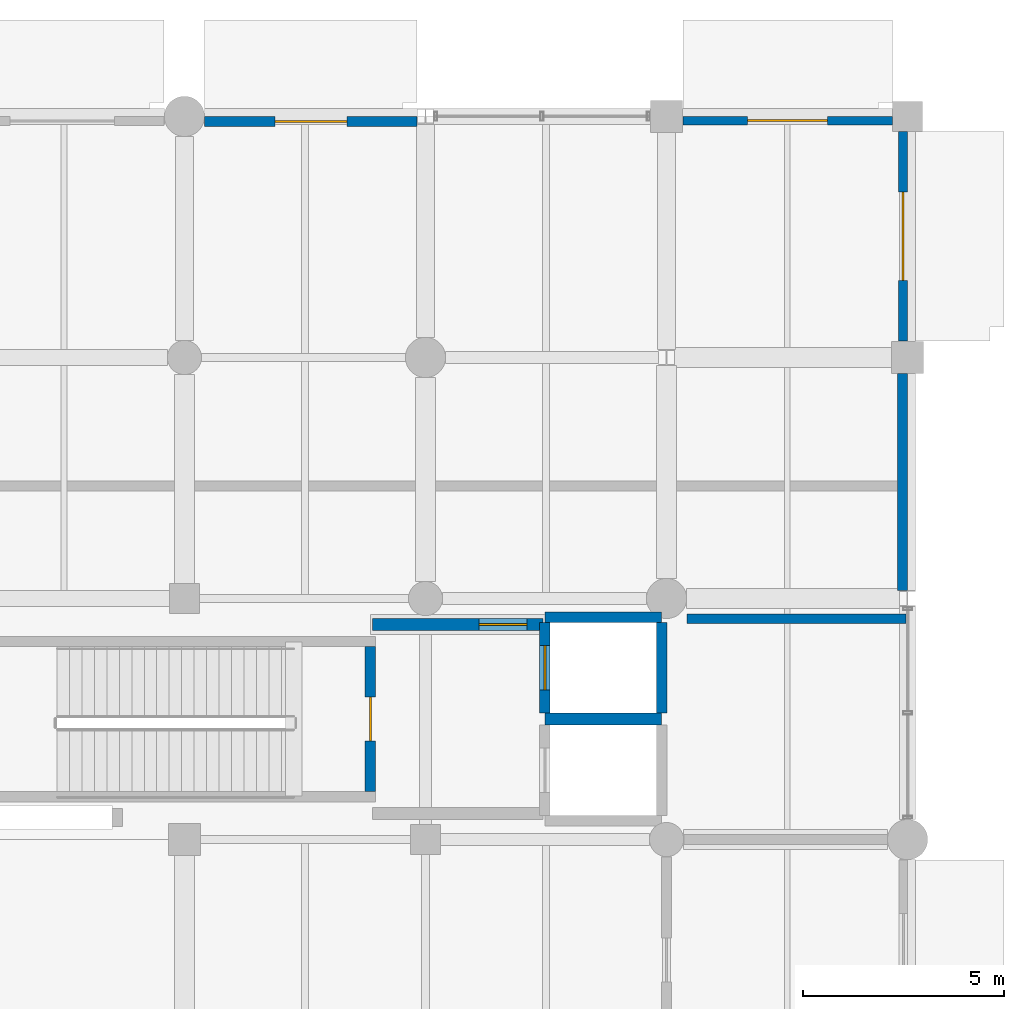
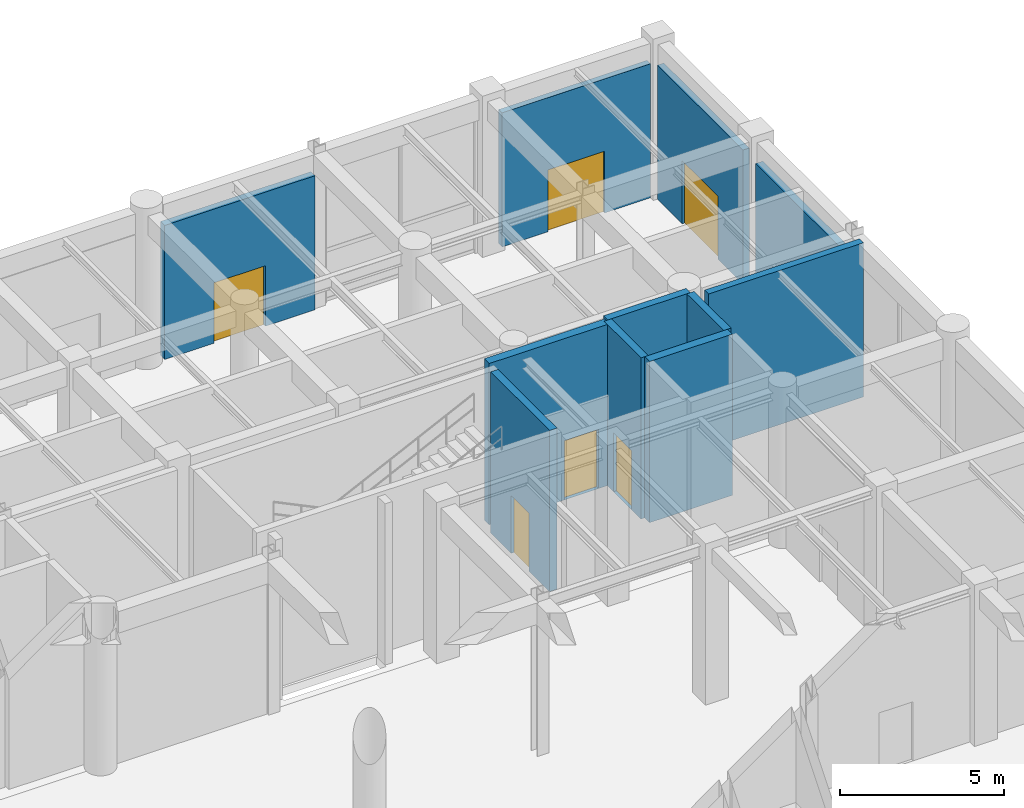
# One storey, part 91 of 106: 11 walls, 6 doors, 6 openings.
"""IFC4 building model written with IfcOpenShell, lengths in metres."""

from ifc_helpers import new_model, si_unit, direction, frame, frame_2d, origin, place, context, subcontext, project, spatial, rectangle, extrude, material, layer, layer_set, type_object, element, fill, save


model = new_model("IFC4")

# Units and contexts
model_context = context("Model", 3, precision=1e-05, world=origin(), true_north=direction((0.0, 1.0)))
body_context = subcontext(model_context, "Body", "Model", "MODEL_VIEW")
ifc_project = project(units=[si_unit("LENGTHUNIT", "METRE"), si_unit("AREAUNIT", "SQUARE_METRE"), si_unit("VOLUMEUNIT", "CUBIC_METRE"), si_unit("PLANEANGLEUNIT", "RADIAN"), si_unit("MASSUNIT", "GRAM", prefix="KILO"), si_unit("THERMODYNAMICTEMPERATUREUNIT", "KELVIN"), si_unit("POWERUNIT", "WATT")], contexts=[model_context])

# Site, building, storey
site_placement = place(None, origin())
site = spatial("IfcSite", under=ifc_project, at=site_placement, CompositionType="ELEMENT")
building_placement = place(site_placement, origin())
building = spatial("IfcBuilding", under=site, at=building_placement, Name="Phaisarnlok Congress Hotel", CompositionType="ELEMENT")
storey_placement = place(building_placement, origin())
storey = spatial("IfcBuildingStorey", under=building, at=storey_placement, Name="L00", CompositionType="ELEMENT", Elevation=0.0)

# Wall, opening, door
ifc_material_1 = material(Name="Concrete C40/50", Category="concrete")
ifc_layer_1 = layer(ifc_material_1, 0.2099609375, Name="Concrete C40/50")
ifc_layer_set_1 = layer_set([ifc_layer_1], Name="Concrete C40/50")
wall_type_1 = type_object("IfcWallType", Name="WL-EXT-210", PredefinedType="SOLIDWALL", material=ifc_layer_set_1)
wall_1_placement = place(storey_placement, frame((179.6201171875, 125.89501953125, 0.0), z_axis=(0.0, 0.0, 1.0), x_axis=(-1.0, 0.0, 0.0)))
wall_1 = element("IfcWall", 1, at=wall_1_placement, inside=storey, type_object=wall_type_1, Name="Exterior wall EW-07 (L00)", PredefinedType="SOLIDWALL", context=body_context, shape_type="SweptSolid", body=[
    extrude(rectangle(XDim=5.215087890625, YDim=0.2099609375, at=frame_2d((2.607421875, 0.0))), origin(), (0.0, 0.0, 1.0), 4.989990234375),
])
opening_1_placement = place(wall_1_placement, frame((1.60791015625, 0.0, 0.0)))
opening_1 = element("IfcOpeningElement", 2, at=opening_1_placement, cuts=wall_1, Name="Opening FE-31", PredefinedType="OPENING", context=body_context, shape_type="SweptSolid", body=[
    extrude(rectangle(XDim=2.0, YDim=2.300048828125, at=frame_2d((1.0, 1.14990234375))), frame((0.0, 0.114990234375, 0.0), z_axis=(0.0, -1.0, 0.0), x_axis=(1.0, 0.0, 0.0)), (0.0, 0.0, 1.0), 0.22998046875),
])
ifc_material_2 = material(Name="Powder-Coated Steel & Laminated Safety Glass", Category="steel")
door_type_1 = type_object("IfcDoorType", Name="DR-EXIT-2000", OperationType="DOUBLE_DOOR_SINGLE_SWING", PredefinedType="DOOR", material=ifc_material_2)
door_1_placement = place(opening_1_placement, frame((2.0, 0.0, 0.0), z_axis=(0.0, 0.0, 1.0), x_axis=(-1.0, 0.0, 0.0)))
door_1 = element("IfcDoor", 3, at=door_1_placement, inside=storey, type_object=door_type_1, Name="Ground final exit door FE-31", OperationType="SINGLE_SWING_LEFT", OverallHeight=2.300048828125, OverallWidth=2.0, PredefinedType="DOOR", context=body_context, shape_type="SweptSolid", body=[
    extrude(rectangle(XDim=2.0, YDim=2.300048828125, at=frame_2d((1.0, 1.14990234375))), frame((0.0, 0.02490234375, 0.0), z_axis=(0.0, -1.0, 0.0), x_axis=(1.0, 0.0, 0.0)), (0.0, 0.0, 1.0), 0.050048828125),
])
fill(opening_1, door_1)

ifc_layer_2 = layer(ifc_material_1, 0.22998046875, Name="Concrete C40/50")
ifc_layer_set_2 = layer_set([ifc_layer_2], Name="Concrete C40/50")
wall_type_2 = type_object("IfcWallType", Name="WL-EXT-230", PredefinedType="SOLIDWALL", material=ifc_layer_set_2)
wall_2_placement = place(storey_placement, frame((179.885009765625, 120.405029296875, 0.0), z_axis=(0.0, 0.0, 1.0), x_axis=(0.0, 1.0, 0.0)))
wall_2 = element("IfcWall", 4, at=wall_2_placement, inside=storey, type_object=wall_type_2, Name="Exterior wall EW-06 (L00)", PredefinedType="SOLIDWALL", context=body_context, shape_type="SweptSolid", body=[
    extrude(rectangle(XDim=5.215087890625, YDim=0.22998046875, at=frame_2d((2.607421875, 0.0))), origin(), (0.0, 0.0, 1.0), 4.989990234375),
])
opening_2_placement = place(wall_2_placement, frame((1.508056640625, 0.0, 0.0)))
opening_2 = element("IfcOpeningElement", 5, at=opening_2_placement, cuts=wall_2, Name="Opening FE-30", PredefinedType="OPENING", context=body_context, shape_type="SweptSolid", body=[
    extrude(rectangle(XDim=2.199951171875, YDim=2.35009765625, at=frame_2d((1.10009765625, 1.175048828125))), frame((0.0, 0.125, 0.0), z_axis=(0.0, -1.0, 0.0), x_axis=(1.0, 0.0, 0.0)), (0.0, 0.0, 1.0), 0.25),
])
door_type_2 = type_object("IfcDoorType", Name="DR-EXIT-2200", OperationType="DOUBLE_DOOR_SINGLE_SWING", PredefinedType="DOOR", material=ifc_material_2)
door_2_placement = place(opening_2_placement, frame((2.199951171875, 0.0, 0.0), z_axis=(0.0, 0.0, 1.0), x_axis=(-1.0, 0.0, 0.0)))
door_2 = element("IfcDoor", 6, at=door_2_placement, inside=storey, type_object=door_type_2, Name="Ground final exit door FE-30", OperationType="SINGLE_SWING_LEFT", OverallHeight=2.35009765625, OverallWidth=2.199951171875, PredefinedType="DOOR", context=body_context, shape_type="SweptSolid", body=[
    extrude(rectangle(XDim=2.199951171875, YDim=2.35009765625, at=frame_2d((1.10009765625, 1.175048828125))), frame((0.0, 0.02490234375, 0.0), z_axis=(0.0, -1.0, 0.0), x_axis=(1.0, 0.0, 0.0)), (0.0, 0.0, 1.0), 0.050048828125),
])
fill(opening_2, door_2)

# Wall
ifc_layer_3 = layer(ifc_material_1, 0.25, Name="Concrete C40/50")
ifc_layer_set_3 = layer_set([ifc_layer_3], Name="Concrete C40/50")
wall_type_3 = type_object("IfcWallType", Name="WL-EXT-250", PredefinedType="SOLIDWALL", material=ifc_layer_set_3)
wall_3_placement = place(storey_placement, frame((179.875, 114.20458984375, 0.0), z_axis=(0.0, 0.0, 1.0), x_axis=(0.0, 1.0, 0.0)))
element("IfcWall", 7, at=wall_3_placement, inside=storey, type_object=wall_type_3, Name="Exterior wall EW-05 (L00)", PredefinedType="SOLIDWALL", context=body_context, shape_type="SweptSolid", body=[
    extrude(rectangle(XDim=5.390380859375, YDim=0.25, at=frame_2d((2.6953125, 0.0))), origin(), (0.0, 0.0, 1.0), 4.989990234375),
])

# Wall, opening, door
wall_4_placement = place(storey_placement, frame((167.79443359375, 125.875, 0.0), z_axis=(0.0, 0.0, 1.0), x_axis=(-1.0, 0.0, 0.0)))
wall_4 = element("IfcWall", 8, at=wall_4_placement, inside=storey, type_object=wall_type_3, Name="Exterior wall EW-05 (L00)", PredefinedType="SOLIDWALL", context=body_context, shape_type="SweptSolid", body=[
    extrude(rectangle(XDim=5.28955078125, YDim=0.25, at=frame_2d((2.644775390625, 0.0))), origin(), (0.0, 0.0, 1.0), 4.989990234375),
])
opening_3_placement = place(wall_4_placement, frame((1.7451171875, 0.0, 0.0)))
opening_3 = element("IfcOpeningElement", 9, at=opening_3_placement, cuts=wall_4, Name="Opening FE-32", PredefinedType="OPENING", context=body_context, shape_type="SweptSolid", body=[
    extrude(rectangle(XDim=1.800048828125, YDim=2.25, at=frame_2d((0.89990234375, 1.125))), frame((0.0, 0.135009765625, 0.0), z_axis=(0.0, -1.0, 0.0), x_axis=(1.0, 0.0, 0.0)), (0.0, 0.0, 1.0), 0.27001953125),
])
door_type_3 = type_object("IfcDoorType", Name="DR-EXIT-1800", OperationType="DOUBLE_DOOR_SINGLE_SWING", PredefinedType="DOOR", material=ifc_material_2)
door_3_placement = place(opening_3_placement, frame((1.800048828125, 0.0, 0.0), z_axis=(0.0, 0.0, 1.0), x_axis=(-1.0, 0.0, 0.0)))
door_3 = element("IfcDoor", 10, at=door_3_placement, inside=storey, type_object=door_type_3, Name="Ground final exit door FE-32", OperationType="SINGLE_SWING_LEFT", OverallHeight=2.25, OverallWidth=1.800048828125, PredefinedType="DOOR", context=body_context, shape_type="SweptSolid", body=[
    extrude(rectangle(XDim=1.800048828125, YDim=2.25, at=frame_2d((0.89990234375, 1.125))), frame((0.0, 0.02490234375, 0.0), z_axis=(0.0, -1.0, 0.0), x_axis=(1.0, 0.0, 0.0)), (0.0, 0.0, 1.0), 0.050048828125),
])
fill(opening_3, door_3)

# Wall
ifc_layer_4 = layer(ifc_material_1, 0.239990234375, Name="Concrete C40/50")
ifc_layer_set_4 = layer_set([ifc_layer_4], Name="Concrete C40/50")
wall_type_4 = type_object("IfcWallType", Name="WL-INT-240", PredefinedType="PARTITIONING", material=ifc_layer_set_4)
wall_5_placement = place(storey_placement, frame((174.5048828125, 113.5, 0.0), z_axis=(0.0, 0.0, 1.0), x_axis=(1.0, 0.0, 0.0)))
element("IfcWall", 11, at=wall_5_placement, inside=storey, type_object=wall_type_4, Name="Interior partition wall IW-01 (L00)", PredefinedType="PARTITIONING", context=body_context, shape_type="SweptSolid", body=[
    extrude(rectangle(XDim=5.4501953125, YDim=0.239990234375, at=frame_2d((2.72509765625, 0.0))), origin(), (0.0, 0.0, 1.0), 5.739990234375),
])

# Wall, opening, door
ifc_material_3 = material(Name="Concrete C50/60", Category="concrete")
ifc_layer_5 = layer(ifc_material_3, 0.260009765625, Name="Concrete C50/60")
ifc_layer_set_5 = layer_set([ifc_layer_5], Name="Concrete C50/60")
wall_type_5 = type_object("IfcWallType", Name="WL-SHR-260", PredefinedType="SHEAR", material=ifc_layer_set_5)
wall_6_placement = place(storey_placement, frame((166.6298828125, 109.199951171875, 0.0), z_axis=(0.0, 0.0, 1.0), x_axis=(0.0, 1.0, 0.0)))
wall_6 = element("IfcWall", 12, at=wall_6_placement, inside=storey, type_object=wall_type_5, Name="Stair shaft shear wall SW-04 (CORE-1 L00)", PredefinedType="SHEAR", context=body_context, shape_type="SweptSolid", body=[
    extrude(rectangle(XDim=3.60009765625, YDim=0.260009765625, at=frame_2d((1.800048828125, 0.0))), origin(), (0.0, 0.0, 1.0), 6.0),
])
opening_4_placement = place(wall_6_placement, frame((1.25, 0.0, 0.0)))
opening_4 = element("IfcOpeningElement", 13, at=opening_4_placement, cuts=wall_6, Name="Opening FD-002", PredefinedType="OPENING", context=body_context, shape_type="SweptSolid", body=[
    extrude(rectangle(XDim=1.10009765625, YDim=2.14990234375, at=frame_2d((0.550048828125, 1.074951171875))), frame((0.0, 0.14013671875, 0.0), z_axis=(0.0, -1.0, 0.0), x_axis=(1.0, 0.0, 0.0)), (0.0, 0.0, 1.0), 0.280029296875),
])
ifc_material_4 = material(Name="Fire-Rated Steel Frame & Timber Leaf", Category="steel")
door_type_4 = type_object("IfcDoorType", Name="DR-FD60-1100", OperationType="NOTDEFINED", PredefinedType="DOOR", material=ifc_material_4)
door_4_placement = place(opening_4_placement, origin())
door_4 = element("IfcDoor", 14, at=door_4_placement, inside=storey, type_object=door_type_4, Name="Stair enclosure fire door FD-002 (L00)", OperationType="SINGLE_SWING_LEFT", OverallHeight=2.14990234375, OverallWidth=1.10009765625, PredefinedType="DOOR", context=body_context, shape_type="SweptSolid", body=[
    extrude(rectangle(XDim=1.10009765625, YDim=2.14990234375, at=frame_2d((0.550048828125, 1.074951171875))), frame((0.0, 0.02490234375, 0.0), z_axis=(0.0, -1.0, 0.0), x_axis=(1.0, 0.0, 0.0)), (0.0, 0.0, 1.0), 0.050048828125),
])
fill(opening_4, door_4)

# Walls
wall_7_placement = place(storey_placement, frame((170.969970703125, 113.530029296875, 0.0), z_axis=(0.0, 0.0, 1.0), x_axis=(1.0, 0.0, 0.0)))
element("IfcWall", 15, at=wall_7_placement, inside=storey, type_object=wall_type_5, Name="Lift shaft shear wall SW-04 (LF-HP1 L00)", PredefinedType="SHEAR", context=body_context, shape_type="SweptSolid", body=[
    extrude(rectangle(XDim=2.909912109375, YDim=0.260009765625, at=frame_2d((1.455078125, 0.0))), origin(), (0.0, 0.0, 1.0), 6.0),
])
wall_8_placement = place(storey_placement, frame((173.8798828125, 111.14990234375, 0.0), z_axis=(0.0, 0.0, 1.0), x_axis=(0.0, 1.0, 0.0)))
element("IfcWall", 16, at=wall_8_placement, inside=storey, type_object=wall_type_5, Name="Lift shaft shear wall SW-04 (LF-HP1 L00)", PredefinedType="SHEAR", context=body_context, shape_type="SweptSolid", body=[
    extrude(rectangle(XDim=2.25, YDim=0.260009765625, at=frame_2d((1.125, 0.0))), origin(), (0.0, 0.0, 1.0), 6.0),
])

# Wall, opening, door
wall_9_placement = place(storey_placement, frame((170.969970703125, 111.14990234375, 0.0), z_axis=(0.0, 0.0, 1.0), x_axis=(0.0, 1.0, 0.0)))
wall_9 = element("IfcWall", 17, at=wall_9_placement, inside=storey, type_object=wall_type_5, Name="Lift shaft front wall SW-04 (LF-HP1 L00)", PredefinedType="SHEAR", context=body_context, shape_type="SweptSolid", body=[
    extrude(rectangle(XDim=2.25, YDim=0.260009765625, at=frame_2d((1.125, 0.0))), origin(), (0.0, 0.0, 1.0), 6.0),
])
opening_5_placement = place(wall_9_placement, frame((0.574951171875, 0.0, 0.0)))
opening_5 = element("IfcOpeningElement", 18, at=opening_5_placement, cuts=wall_9, Name="Opening LD-017", PredefinedType="OPENING", context=body_context, shape_type="SweptSolid", body=[
    extrude(rectangle(XDim=1.10009765625, YDim=2.199951171875, at=frame_2d((0.550048828125, 1.10009765625))), frame((0.0, 0.14013671875, 0.0), z_axis=(0.0, -1.0, 0.0), x_axis=(1.0, 0.0, 0.0)), (0.0, 0.0, 1.0), 0.280029296875),
])
ifc_material_5 = material(Name="Brushed Stainless Steel Grade 304", Category="steel")
door_type_5 = type_object("IfcDoorType", Name="DR-LD-1100", OperationType="DOUBLE_DOOR_SLIDING", PredefinedType="DOOR", material=ifc_material_5)
door_5_placement = place(opening_5_placement, origin())
door_5 = element("IfcDoor", 19, at=door_5_placement, inside=storey, type_object=door_type_5, Name="Lift landing sliding door LD-017 (LF-HP1 L00)", OperationType="DOUBLE_DOOR_SLIDING", OverallHeight=2.199951171875, OverallWidth=1.10009765625, PredefinedType="DOOR", context=body_context, shape_type="SweptSolid", body=[
    extrude(rectangle(XDim=1.10009765625, YDim=2.199951171875, at=frame_2d((0.550048828125, 1.10009765625))), frame((0.0, 0.02490234375, 0.0), z_axis=(0.0, -1.0, 0.0), x_axis=(1.0, 0.0, 0.0)), (0.0, 0.0, 1.0), 0.050048828125),
])
fill(opening_5, door_5)

# Wall
ifc_layer_6 = layer(ifc_material_3, 0.300048828125, Name="Concrete C50/60")
ifc_layer_set_6 = layer_set([ifc_layer_6], Name="Concrete C50/60")
wall_type_6 = type_object("IfcWallType", Name="WL-SHR-300", PredefinedType="SHEAR", material=ifc_layer_set_6)
wall_10_placement = place(storey_placement, frame((170.969970703125, 111.0, 0.0), z_axis=(0.0, 0.0, 1.0), x_axis=(1.0, 0.0, 0.0)))
element("IfcWall", 20, at=wall_10_placement, inside=storey, type_object=wall_type_6, Name="Lift shaft divider shear wall SW-03 (LF-FF1 L00)", PredefinedType="SHEAR", context=body_context, shape_type="SweptSolid", body=[
    extrude(rectangle(XDim=2.909912109375, YDim=0.300048828125, at=frame_2d((1.455078125, 0.0))), origin(), (0.0, 0.0, 1.0), 6.0),
])

# Wall, opening, door
wall_11_placement = place(storey_placement, frame((166.679931640625, 113.35009765625, 0.0), z_axis=(0.0, 0.0, 1.0), x_axis=(1.0, 0.0, 0.0)))
wall_11 = element("IfcWall", 21, at=wall_11_placement, inside=storey, type_object=wall_type_6, Name="Core lobby EI-120 wall SW-03 (CORE-1 L00)", PredefinedType="SHEAR", context=body_context, shape_type="SweptSolid", body=[
    extrude(rectangle(XDim=4.239990234375, YDim=0.300048828125, at=frame_2d((2.1201171875, 0.0))), origin(), (0.0, 0.0, 1.0), 6.0),
])
opening_6_placement = place(wall_11_placement, frame((2.64990234375, 0.0, 0.0)))
opening_6 = element("IfcOpeningElement", 22, at=opening_6_placement, cuts=wall_11, Name="Opening FD-017", PredefinedType="OPENING", context=body_context, shape_type="SweptSolid", body=[
    extrude(rectangle(XDim=1.199951171875, YDim=2.199951171875, at=frame_2d((0.60009765625, 1.10009765625))), frame((0.0, 0.16015625, 0.0), z_axis=(0.0, -1.0, 0.0), x_axis=(1.0, 0.0, 0.0)), (0.0, 0.0, 1.0), 0.320068359375),
])
door_type_6 = type_object("IfcDoorType", Name="DR-FD60-1200", OperationType="NOTDEFINED", PredefinedType="DOOR", material=ifc_material_4)
door_6_placement = place(opening_6_placement, origin())
door_6 = element("IfcDoor", 23, at=door_6_placement, inside=storey, type_object=door_type_6, Name="Firefighting lobby entrance door FD-017 (CORE-1 L00)", OperationType="SINGLE_SWING_RIGHT", OverallHeight=2.199951171875, OverallWidth=1.199951171875, PredefinedType="DOOR", context=body_context, shape_type="SweptSolid", body=[
    extrude(rectangle(XDim=1.199951171875, YDim=2.199951171875, at=frame_2d((0.60009765625, 1.10009765625))), frame((0.0, 0.02490234375, 0.0), z_axis=(0.0, -1.0, 0.0), x_axis=(1.0, 0.0, 0.0)), (0.0, 0.0, 1.0), 0.050048828125),
])
fill(opening_6, door_6)

save(model, "model.ifc")
